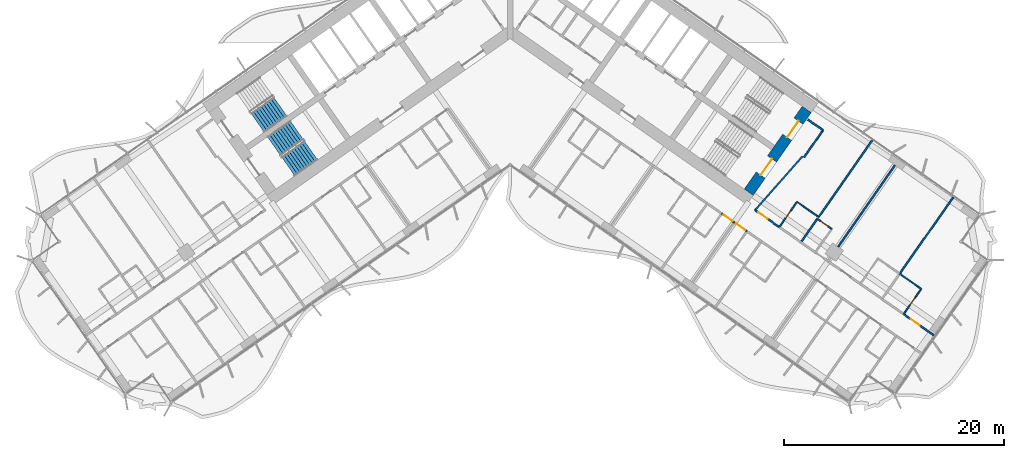
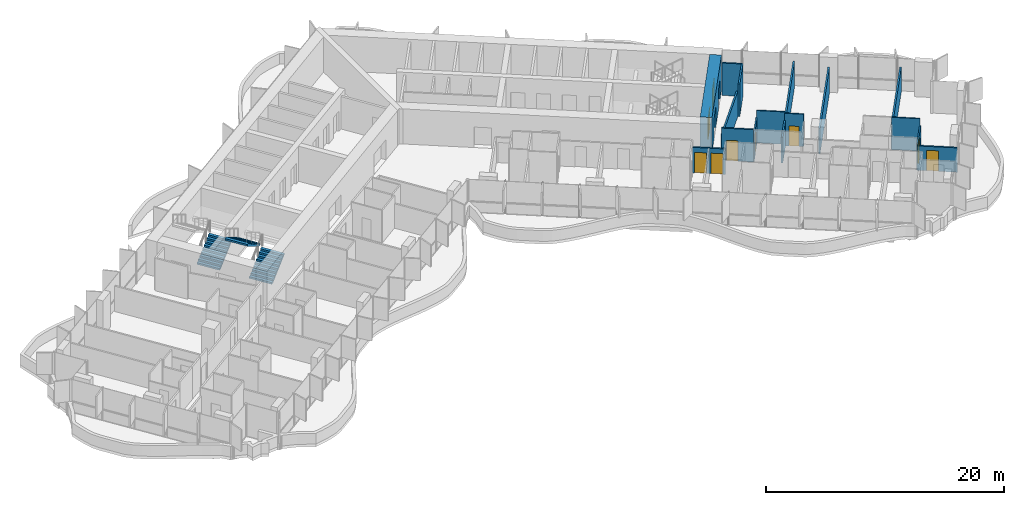
# One storey, part 18 of 25: 17 walls, 9 doors, 3 stair flights, 9 openings, 2 elements without a shape of their own.
"""IFC4 building model written with IfcOpenShell, lengths in metres."""

from ifc_helpers import new_model, si_unit, direction, frame, frame_2d, origin, place, context, subcontext, project, spatial, polyline, rectangle, outline, extrude, material, layer, layer_set, type_object, element, fill, aggregate, save


model = new_model("IFC4")

# Units and contexts
model_context = context("Model", 3, precision=1e-05, world=origin(), true_north=direction((0.0, 1.0)))
body_context = subcontext(model_context, "Body", "Model", "MODEL_VIEW")
ifc_project = project(units=[si_unit("LENGTHUNIT", "METRE"), si_unit("AREAUNIT", "SQUARE_METRE"), si_unit("VOLUMEUNIT", "CUBIC_METRE"), si_unit("PLANEANGLEUNIT", "RADIAN"), si_unit("MASSUNIT", "GRAM", prefix="KILO")], contexts=[model_context])

# Site, building, storey
site_placement = place(None, origin())
site = spatial("IfcSite", under=ifc_project, at=site_placement, CompositionType="ELEMENT")
building_placement = place(site_placement, origin())
building = spatial("IfcBuilding", under=site, at=building_placement, Name="Tel Ilan Convention Tower", CompositionType="ELEMENT")
storey_placement = place(building_placement, frame((0.0, 0.0, 58.10009765625)))
storey = spatial("IfcBuildingStorey", under=building, at=storey_placement, Name="L09", CompositionType="ELEMENT", Elevation=58.10009765625)

# Wall, openings, doors
ifc_material_1 = material(Name="Concrete C60/75", Category="concrete")
ifc_layer_1 = layer(ifc_material_1, 1.0)
ifc_layer_set_1 = layer_set([ifc_layer_1], Name="Core Shear Wall 1000 mm C60/75")
wall_type_1 = type_object("IfcWallType", Name="Core Shear Wall 1000 mm C60/75", PredefinedType="SHEAR", material=ifc_layer_set_1)
wall_1_placement = place(storey_placement, frame((21.70751953125, -15.19970703125, 0.0), z_axis=(0.0, 0.0, 1.0), x_axis=(0.573576324356, 0.819152122709, 0.0)))
wall_1 = element("IfcWall", 1, at=wall_1_placement, inside=storey, type_object=wall_type_1, Name="L09 core wall E-end", PredefinedType="SHEAR", context=body_context, shape_type="SweptSolid", body=[
    extrude(outline(polyline([(9.199951171875, 0.5), (0.0, 0.5), (0.0, -0.5), (9.199951171875, -0.5), (9.199951171875, 0.5)])), origin(), (0.0, 0.0, 1.0), 3.599853515625),
])
opening_1_placement = place(wall_1_placement, frame((6.10009765625, 0.0, 0.0)))
opening_1 = element("IfcOpeningElement", 2, at=opening_1_placement, cuts=wall_1, Name="Opening SD1103", PredefinedType="OPENING", context=body_context, shape_type="SweptSolid", body=[
    extrude(rectangle(XDim=1.800048828125, YDim=2.10009765625, at=frame_2d((0.89990234375, 1.050048828125))), frame((0.0, 0.510009765625, 0.0), z_axis=(0.0, -1.0, 0.0), x_axis=(1.0, 0.0, 0.0)), (0.0, 0.0, 1.0), 1.02001953125),
])
opening_2_placement = place(wall_1_placement, frame((1.89990234375, 0.0, 0.0)))
opening_2 = element("IfcOpeningElement", 3, at=opening_2_placement, cuts=wall_1, Name="Opening SD1104", PredefinedType="OPENING", context=body_context, shape_type="SweptSolid", body=[
    extrude(rectangle(XDim=1.800048828125, YDim=2.10009765625, at=frame_2d((0.89990234375, 1.050048828125))), frame((0.0, 0.510009765625, 0.0), z_axis=(0.0, -1.0, 0.0), x_axis=(1.0, 0.0, 0.0)), (0.0, 0.0, 1.0), 1.02001953125),
])
ifc_material_2 = material(Name="Galvanised Steel Door Leaf", Category="steel")
door_type_1 = type_object("IfcDoorType", Name="Stair Fire Door 1800 x 2100 FD60S", OperationType="NOTDEFINED", PredefinedType="DOOR", material=ifc_material_2)
door_1_placement = place(opening_1_placement, origin())
door_1 = element("IfcDoor", 4, at=door_1_placement, inside=storey, type_object=door_type_1, Name="Stair S3 door", OperationType="DOUBLE_DOOR_SINGLE_SWING", OverallHeight=2.10009765625, OverallWidth=1.800048828125, PredefinedType="DOOR", context=body_context, shape_type="SweptSolid", body=[
    extrude(rectangle(XDim=1.800048828125, YDim=2.10009765625, at=frame_2d((0.89990234375, 1.050048828125))), frame((0.0, 0.02490234375, 0.0), z_axis=(0.0, -1.0, 0.0), x_axis=(1.0, 0.0, 0.0)), (0.0, 0.0, 1.0), 0.050048828125),
])
fill(opening_1, door_1)
door_2_placement = place(opening_2_placement, origin())
door_2 = element("IfcDoor", 5, at=door_2_placement, inside=storey, type_object=door_type_1, Name="Stair S4 door", OperationType="DOUBLE_DOOR_SINGLE_SWING", OverallHeight=2.10009765625, OverallWidth=1.800048828125, PredefinedType="DOOR", context=body_context, shape_type="SweptSolid", body=[
    extrude(rectangle(XDim=1.800048828125, YDim=2.10009765625, at=frame_2d((0.89990234375, 1.050048828125))), frame((0.0, 0.02490234375, 0.0), z_axis=(0.0, -1.0, 0.0), x_axis=(1.0, 0.0, 0.0)), (0.0, 0.0, 1.0), 0.050048828125),
])
fill(opening_2, door_2)

# Wall, opening, door
ifc_material_3 = material(Name="Plasterboard on Steel Studs", Category="steel")
ifc_layer_2 = layer(ifc_material_3, 0.14990234375)
ifc_layer_set_2 = layer_set([ifc_layer_2], Name="Fire-rated Partition 150 EI 60")
wall_type_2 = type_object("IfcWallType", Name="Fire-rated Partition 150 EI 60", PredefinedType="PARTITIONING", material=ifc_layer_set_2)
wall_2_placement = place(storey_placement, frame((22.28369140625, -16.823974609375, 0.0), z_axis=(0.0, 0.0, 1.0), x_axis=(0.819176640776, -0.573541307325, 0.0)))
wall_2 = element("IfcWall", 6, at=wall_2_placement, inside=storey, type_object=wall_type_2, Name="Partition 001", PredefinedType="PARTITIONING", context=body_context, shape_type="SweptSolid", body=[
    extrude(rectangle(XDim=2.697509765625, YDim=0.14990234375, at=frame_2d((1.3486328125, 0.0))), origin(), (0.0, 0.0, 1.0), 3.31982421875),
])
opening_3_placement = place(wall_2_placement, frame((0.396240234375, 0.0, 0.0)))
opening_3 = element("IfcOpeningElement", 7, at=opening_3_placement, cuts=wall_2, Name="Opening L08-044", PredefinedType="OPENING", context=body_context, shape_type="SweptSolid", body=[
    extrude(rectangle(XDim=1.0, YDim=2.10009765625, at=frame_2d((0.5, 1.050048828125))), frame((0.0, 0.0849609375, 0.0), z_axis=(0.0, -1.0, 0.0), x_axis=(1.0, 0.0, 0.0)), (0.0, 0.0, 1.0), 0.169921875),
])
ifc_material_4 = material(Name="Timber Door Leaf in Steel Frame", Category="steel")
door_type_2 = type_object("IfcDoorType", Name="Hotel Room Entrance Fire Door 1000x2100", OperationType="NOTDEFINED", PredefinedType="DOOR", material=ifc_material_4)
door_3_placement = place(opening_3_placement, origin())
door_3 = element("IfcDoor", 8, at=door_3_placement, inside=storey, type_object=door_type_2, Name="Door L08-044", OperationType="SINGLE_SWING_RIGHT", OverallHeight=2.10009765625, OverallWidth=1.0, PredefinedType="DOOR", context=body_context, shape_type="SweptSolid", body=[
    extrude(rectangle(XDim=1.0, YDim=2.10009765625, at=frame_2d((0.5, 1.050048828125))), frame((0.0, 0.02490234375, 0.0), z_axis=(0.0, -1.0, 0.0), x_axis=(1.0, 0.0, 0.0)), (0.0, 0.0, 1.0), 0.050048828125),
])
fill(opening_3, door_3)

wall_3_placement = place(storey_placement, frame((35.7958984375, -26.285400390625, 0.0), z_axis=(0.0, 0.0, 1.0), x_axis=(0.819154345195, -0.573573150303, 0.0)))
wall_3 = element("IfcWall", 9, at=wall_3_placement, inside=storey, type_object=wall_type_2, Name="Partition 007", PredefinedType="PARTITIONING", context=body_context, shape_type="SweptSolid", body=[
    extrude(rectangle(XDim=3.40087890625, YDim=0.14990234375, at=frame_2d((1.700439453125, 0.0))), origin(), (0.0, 0.0, 1.0), 2.5),
])
opening_4_placement = place(wall_3_placement, frame((0.801025390625, 0.0, 0.0)))
opening_4 = element("IfcOpeningElement", 10, at=opening_4_placement, cuts=wall_3, Name="Opening L08-050", PredefinedType="OPENING", context=body_context, shape_type="SweptSolid", body=[
    extrude(rectangle(XDim=1.0, YDim=2.10009765625, at=frame_2d((0.5, 1.050048828125))), frame((0.0, 0.0849609375, 0.0), z_axis=(0.0, -1.0, 0.0), x_axis=(1.0, 0.0, 0.0)), (0.0, 0.0, 1.0), 0.169921875),
])
door_4_placement = place(opening_4_placement, origin())
door_4 = element("IfcDoor", 11, at=door_4_placement, inside=storey, type_object=door_type_2, Name="Door L08-050", OperationType="SINGLE_SWING_LEFT", OverallHeight=2.10009765625, OverallWidth=1.0, PredefinedType="DOOR", context=body_context, shape_type="SweptSolid", body=[
    extrude(rectangle(XDim=1.0, YDim=2.10009765625, at=frame_2d((0.5, 1.050048828125))), frame((0.0, 0.02490234375, 0.0), z_axis=(0.0, -1.0, 0.0), x_axis=(1.0, 0.0, 0.0)), (0.0, 0.0, 1.0), 0.050048828125),
])
fill(opening_4, door_4)

wall_4_placement = place(storey_placement, frame((20.39794921875, -17.9453125, 0.0), z_axis=(0.0, 0.0, 1.0), x_axis=(-0.819060210533, 0.573707566205, 0.0)))
wall_4 = element("IfcWall", 12, at=wall_4_placement, inside=storey, type_object=wall_type_2, Name="Partition 016", PredefinedType="PARTITIONING", context=body_context, shape_type="SweptSolid", body=[
    extrude(rectangle(XDim=1.403076171875, YDim=0.14990234375, at=frame_2d((0.70166015625, 0.0))), origin(), (0.0, 0.0, 1.0), 2.599853515625),
])
opening_5_placement = place(wall_4_placement, frame((0.201904296875, 0.0, 0.0)))
opening_5 = element("IfcOpeningElement", 13, at=opening_5_placement, cuts=wall_4, Name="Opening L08-031", PredefinedType="OPENING", context=body_context, shape_type="SweptSolid", body=[
    extrude(rectangle(XDim=1.0, YDim=2.10009765625, at=frame_2d((0.5, 1.050048828125))), frame((0.0, 0.0849609375, 0.0), z_axis=(0.0, -1.0, 0.0), x_axis=(1.0, 0.0, 0.0)), (0.0, 0.0, 1.0), 0.169921875),
])
door_5_placement = place(opening_5_placement, origin())
door_5 = element("IfcDoor", 14, at=door_5_placement, inside=storey, type_object=door_type_2, Name="Door L08-031", OperationType="SINGLE_SWING_RIGHT", OverallHeight=2.10009765625, OverallWidth=1.0, PredefinedType="DOOR", context=body_context, shape_type="SweptSolid", body=[
    extrude(rectangle(XDim=1.0, YDim=2.10009765625, at=frame_2d((0.5, 1.050048828125))), frame((0.0, 0.02490234375, 0.0), z_axis=(0.0, -1.0, 0.0), x_axis=(1.0, 0.0, 0.0)), (0.0, 0.0, 1.0), 0.050048828125),
])
fill(opening_5, door_5)

wall_5_placement = place(storey_placement, frame((21.5439453125, -18.74755859375, 0.0), z_axis=(0.0, 0.0, 1.0), x_axis=(-0.81914197737, 0.573590813132, 0.0)))
wall_5 = element("IfcWall", 15, at=wall_5_placement, inside=storey, type_object=wall_type_2, Name="Partition 018", PredefinedType="PARTITIONING", context=body_context, shape_type="SweptSolid", body=[
    extrude(rectangle(XDim=1.40283203125, YDim=0.14990234375, at=frame_2d((0.701416015625, 0.0))), origin(), (0.0, 0.0, 1.0), 2.599853515625),
])
opening_6_placement = place(wall_5_placement, frame((0.200927734375, 0.0, 0.0)))
opening_6 = element("IfcOpeningElement", 16, at=opening_6_placement, cuts=wall_5, Name="Opening L08-033", PredefinedType="OPENING", context=body_context, shape_type="SweptSolid", body=[
    extrude(rectangle(XDim=1.0, YDim=2.10009765625, at=frame_2d((0.5, 1.050048828125))), frame((0.0, 0.0849609375, 0.0), z_axis=(0.0, -1.0, 0.0), x_axis=(1.0, 0.0, 0.0)), (0.0, 0.0, 1.0), 0.169921875),
])
door_6_placement = place(opening_6_placement, origin())
door_6 = element("IfcDoor", 17, at=door_6_placement, inside=storey, type_object=door_type_2, Name="Door L08-033", OperationType="SINGLE_SWING_RIGHT", OverallHeight=2.10009765625, OverallWidth=1.0, PredefinedType="DOOR", context=body_context, shape_type="SweptSolid", body=[
    extrude(rectangle(XDim=1.0, YDim=2.10009765625, at=frame_2d((0.5, 1.050048828125))), frame((0.0, 0.02490234375, 0.0), z_axis=(0.0, -1.0, 0.0), x_axis=(1.0, 0.0, 0.0)), (0.0, 0.0, 1.0), 0.050048828125),
])
fill(opening_6, door_6)

# Walls
wall_6_placement = place(storey_placement, frame((32.93994140625, -10.49072265625, 0.0), z_axis=(0.0, 0.0, 1.0), x_axis=(-0.573593433868, -0.819140142237, 0.0)))
element("IfcWall", 18, at=wall_6_placement, inside=storey, type_object=wall_type_2, Name="Partition 053", PredefinedType="PARTITIONING", context=body_context, shape_type="SweptSolid", body=[
    extrude(rectangle(XDim=8.4990234375, YDim=0.14990234375, at=frame_2d((4.24951171875, 0.0))), origin(), (0.0, 0.0, 1.0), 2.599853515625),
])
wall_7_placement = place(storey_placement, frame((22.285400390625, -16.8251953125, 0.0), z_axis=(0.0, 0.0, 1.0), x_axis=(0.661551268245, 0.749899939647, 0.0)))
element("IfcWall", 19, at=wall_7_placement, inside=storey, type_object=wall_type_2, Name="Partition 054", PredefinedType="PARTITIONING", context=body_context, shape_type="SweptSolid", body=[
    extrude(rectangle(XDim=6.541015625, YDim=0.14990234375, at=frame_2d((3.2705078125, 0.0))), origin(), (0.0, 0.0, 1.0), 2.599853515625),
])
wall_8_placement = place(storey_placement, frame((26.74609375, -12.013671875, 0.0), z_axis=(0.0, 0.0, 1.0), x_axis=(0.573560650686, 0.819163097304, 0.0)))
element("IfcWall", 20, at=wall_8_placement, inside=storey, type_object=wall_type_2, Name="Partition 055", PredefinedType="PARTITIONING", context=body_context, shape_type="SweptSolid", body=[
    extrude(rectangle(XDim=3.0, YDim=0.14990234375, at=frame_2d((1.5, 0.0))), origin(), (0.0, 0.0, 1.0), 3.31982421875),
])
wall_9_placement = place(storey_placement, frame((28.466796875, -9.55615234375, 0.0), z_axis=(0.0, 0.0, 1.0), x_axis=(-0.819109000826, 0.573637903879, 0.0)))
element("IfcWall", 21, at=wall_9_placement, inside=storey, type_object=wall_type_2, Name="Partition 056", PredefinedType="PARTITIONING", context=body_context, shape_type="SweptSolid", body=[
    extrude(rectangle(XDim=1.679931640625, YDim=0.14990234375, at=frame_2d((0.83984375, 0.0))), origin(), (0.0, 0.0, 1.0), 3.31982421875),
])
wall_10_placement = place(storey_placement, frame((27.950927734375, -17.61572265625, 0.0), z_axis=(0.0, 0.0, 1.0), x_axis=(-0.573544201094, -0.819174614714, 0.0)))
element("IfcWall", 22, at=wall_10_placement, inside=storey, type_object=wall_type_2, Name="Partition 057", PredefinedType="PARTITIONING", context=body_context, shape_type="SweptSolid", body=[
    extrude(rectangle(XDim=2.60205078125, YDim=0.14990234375, at=frame_2d((1.301025390625, 0.0))), origin(), (0.0, 0.0, 1.0), 2.599853515625),
])
wall_11_placement = place(storey_placement, frame((35.012939453125, -12.76025390625, 0.0), z_axis=(0.0, 0.0, 1.0), x_axis=(-0.573558725113, -0.819164445546, 0.0)))
element("IfcWall", 23, at=wall_11_placement, inside=storey, type_object=wall_type_2, Name="Partition 060", PredefinedType="PARTITIONING", context=body_context, shape_type="SweptSolid", body=[
    extrude(rectangle(XDim=9.010009765625, YDim=0.14990234375, at=frame_2d((4.5048828125, 0.0))), origin(), (0.0, 0.0, 1.0), 2.599853515625),
])
wall_12_placement = place(storey_placement, frame((40.312255859375, -15.65283203125, 0.0), z_axis=(0.0, 0.0, 1.0), x_axis=(-0.573560662175, -0.81916308926, 0.0)))
element("IfcWall", 24, at=wall_12_placement, inside=storey, type_object=wall_type_2, Name="Partition 064", PredefinedType="PARTITIONING", context=body_context, shape_type="SweptSolid", body=[
    extrude(rectangle(XDim=8.4990234375, YDim=0.14990234375, at=frame_2d((4.24951171875, 0.0))), origin(), (0.0, 0.0, 1.0), 2.5),
])

# Wall, opening, door
ifc_material_5 = material(Name="Plasterboard on Steel Studs", Category="steel")
ifc_layer_3 = layer(ifc_material_5, 0.1201171875)
ifc_layer_set_3 = layer_set([ifc_layer_3], Name="Moisture-resistant Partition 120")
wall_type_3 = type_object("IfcWallType", Name="Moisture-resistant Partition 120", PredefinedType="PARTITIONING", material=ifc_layer_set_3)
wall_13_placement = place(storey_placement, frame((26.09765625, -16.076416015625, 0.0), z_axis=(0.0, 0.0, 1.0), x_axis=(-0.573550118428, -0.819170471667, 0.0)))
wall_13 = element("IfcWall", 25, at=wall_13_placement, inside=storey, type_object=wall_type_3, Name="Partition 051", PredefinedType="PARTITIONING", context=body_context, shape_type="SweptSolid", body=[
    extrude(rectangle(XDim=2.800048828125, YDim=0.1201171875, at=frame_2d((1.39990234375, 0.0))), origin(), (0.0, 0.0, 1.0), 2.599853515625),
])
opening_7_placement = place(wall_13_placement, frame((0.97509765625, 0.0, 0.0)))
opening_7 = element("IfcOpeningElement", 26, at=opening_7_placement, cuts=wall_13, Name="Opening L08-043", PredefinedType="OPENING", context=body_context, shape_type="SweptSolid", body=[
    extrude(rectangle(XDim=0.85009765625, YDim=2.050048828125, at=frame_2d((0.425048828125, 1.02490234375))), frame((0.0, 0.070068359375, 0.0), z_axis=(0.0, -1.0, 0.0), x_axis=(1.0, 0.0, 0.0)), (0.0, 0.0, 1.0), 0.14013671875),
])
ifc_material_6 = material(Name="Timber Door Leaf in Steel Frame", Category="steel")
door_type_3 = type_object("IfcDoorType", Name="Bathroom Timber Door 850x2050", OperationType="NOTDEFINED", PredefinedType="DOOR", material=ifc_material_6)
door_7_placement = place(opening_7_placement, origin())
door_7 = element("IfcDoor", 27, at=door_7_placement, inside=storey, type_object=door_type_3, Name="Door L08-043", OperationType="SINGLE_SWING_LEFT", OverallHeight=2.050048828125, OverallWidth=0.85009765625, PredefinedType="DOOR", context=body_context, shape_type="SweptSolid", body=[
    extrude(rectangle(XDim=0.85009765625, YDim=2.050048828125, at=frame_2d((0.425048828125, 1.02490234375))), frame((0.0, 0.02490234375, 0.0), z_axis=(0.0, -1.0, 0.0), x_axis=(1.0, 0.0, 0.0)), (0.0, 0.0, 1.0), 0.050048828125),
])
fill(opening_7, door_7)

# Wall
wall_14_placement = place(storey_placement, frame((28.06494140625, -17.45263671875, 0.0), z_axis=(0.0, 0.0, 1.0), x_axis=(-0.819155442668, 0.573571582932, 0.0)))
element("IfcWall", 28, at=wall_14_placement, inside=storey, type_object=wall_type_3, Name="Partition 052", PredefinedType="PARTITIONING", context=body_context, shape_type="SweptSolid", body=[
    extrude(rectangle(XDim=2.39990234375, YDim=0.1201171875, at=frame_2d((1.199951171875, 0.0))), origin(), (0.0, 0.0, 1.0), 3.31982421875),
])

# Wall, opening, door
wall_15_placement = place(storey_placement, frame((29.260986328125, -18.5341796875, 0.0), z_axis=(0.0, 0.0, 1.0), x_axis=(-0.819253425856, 0.573431621227, 0.0)))
wall_15 = element("IfcWall", 29, at=wall_15_placement, inside=storey, type_object=wall_type_3, Name="Partition 059", PredefinedType="PARTITIONING", context=body_context, shape_type="SweptSolid", body=[
    extrude(rectangle(XDim=1.60009765625, YDim=0.1201171875, at=frame_2d((0.800048828125, 0.0))), origin(), (0.0, 0.0, 1.0), 3.31982421875),
])
opening_8_placement = place(wall_15_placement, frame((0.375, 0.0, 0.0)))
opening_8 = element("IfcOpeningElement", 30, at=opening_8_placement, cuts=wall_15, Name="Opening L08-045", PredefinedType="OPENING", context=body_context, shape_type="SweptSolid", body=[
    extrude(rectangle(XDim=0.85009765625, YDim=2.050048828125, at=frame_2d((0.425048828125, 1.02490234375))), frame((0.0, 0.070068359375, 0.0), z_axis=(0.0, -1.0, 0.0), x_axis=(1.0, 0.0, 0.0)), (0.0, 0.0, 1.0), 0.14013671875),
])
door_8_placement = place(opening_8_placement, origin())
door_8 = element("IfcDoor", 31, at=door_8_placement, inside=storey, type_object=door_type_3, Name="Door L08-045", OperationType="SINGLE_SWING_LEFT", OverallHeight=2.050048828125, OverallWidth=0.85009765625, PredefinedType="DOOR", context=body_context, shape_type="SweptSolid", body=[
    extrude(rectangle(XDim=0.85009765625, YDim=2.050048828125, at=frame_2d((0.425048828125, 1.02490234375))), frame((0.0, 0.02490234375, 0.0), z_axis=(0.0, -1.0, 0.0), x_axis=(1.0, 0.0, 0.0)), (0.0, 0.0, 1.0), 0.050048828125),
])
fill(opening_8, door_8)

wall_16_placement = place(storey_placement, frame((35.797607421875, -26.28662109375, 0.0), z_axis=(0.0, 0.0, 1.0), x_axis=(0.573550118428, 0.819170471667, 0.0)))
wall_16 = element("IfcWall", 32, at=wall_16_placement, inside=storey, type_object=wall_type_3, Name="Partition 066", PredefinedType="PARTITIONING", context=body_context, shape_type="SweptSolid", body=[
    extrude(rectangle(XDim=2.800048828125, YDim=0.1201171875, at=frame_2d((1.39990234375, 0.0))), origin(), (0.0, 0.0, 1.0), 2.599853515625),
])
opening_9_placement = place(wall_16_placement, frame((0.97509765625, 0.0, 0.0)))
opening_9 = element("IfcOpeningElement", 33, at=opening_9_placement, cuts=wall_16, Name="Opening L08-049", PredefinedType="OPENING", context=body_context, shape_type="SweptSolid", body=[
    extrude(rectangle(XDim=0.85009765625, YDim=2.050048828125, at=frame_2d((0.425048828125, 1.02490234375))), frame((0.0, 0.070068359375, 0.0), z_axis=(0.0, -1.0, 0.0), x_axis=(1.0, 0.0, 0.0)), (0.0, 0.0, 1.0), 0.14013671875),
])
door_9_placement = place(opening_9_placement, origin())
door_9 = element("IfcDoor", 34, at=door_9_placement, inside=storey, type_object=door_type_3, Name="Door L08-049", OperationType="SINGLE_SWING_LEFT", OverallHeight=2.050048828125, OverallWidth=0.85009765625, PredefinedType="DOOR", context=body_context, shape_type="SweptSolid", body=[
    extrude(rectangle(XDim=0.85009765625, YDim=2.050048828125, at=frame_2d((0.425048828125, 1.02490234375))), frame((0.0, 0.02490234375, 0.0), z_axis=(0.0, -1.0, 0.0), x_axis=(1.0, 0.0, 0.0)), (0.0, 0.0, 1.0), 0.050048828125),
])
fill(opening_9, door_9)

# Wall
wall_17_placement = place(storey_placement, frame((37.4033203125, -23.991455078125, 0.0), z_axis=(0.0, 0.0, 1.0), x_axis=(-0.819155442668, 0.573571582932, 0.0)))
element("IfcWall", 35, at=wall_17_placement, inside=storey, type_object=wall_type_3, Name="Partition 067", PredefinedType="PARTITIONING", context=body_context, shape_type="SweptSolid", body=[
    extrude(rectangle(XDim=2.39990234375, YDim=0.1201171875, at=frame_2d((1.199951171875, 0.0))), origin(), (0.0, 0.0, 1.0), 3.31982421875),
])

# Stair, stair flight
ifc_material_7 = material(Name="Concrete C40/50", Category="concrete")
stair_type = type_object("IfcStairType", Name="Pressurised Exit Stair 20 risers 180 mm", PredefinedType="HALF_TURN_STAIR", material=ifc_material_7)
stair_1_placement = place(storey_placement, origin())
stair_1 = element("IfcStair", 36, at=stair_1_placement, inside=storey, type_object=stair_type, Name="L09 Pressurised Stair S1", PredefinedType="HALF_TURN_STAIR")
ifc_material_8 = material(Name="Precast Concrete C40/50", Category="concrete")
stair_flight_type = type_object("IfcStairFlightType", Name="Concrete Stair Flight 2100 mm 20 risers 180 mm", PredefinedType="STRAIGHT", material=ifc_material_8)
stair_flight_1_placement = place(storey_placement, frame((-22.9619140625, -8.87548828125, 0.0), z_axis=(0.0, 0.0, 1.0), x_axis=(0.819152044289, 0.573576436351, 0.0)))
stair_flight_1 = element("IfcStairFlight", 37, at=stair_flight_1_placement, type_object=stair_flight_type, Name="S1 flight 1", NumberOfRisers=10, NumberOfTreads=9, PredefinedType="STRAIGHT", RiserHeight=0.18, TreadLength=0.28, context=body_context, shape_type="SweptSolid", body=[
    extrude(outline(polyline([(0.0, 0.0), (0.0, 0.179931640625), (0.280029296875, 0.179931640625), (0.280029296875, 0.360107421875), (0.56005859375, 0.360107421875), (0.56005859375, 0.5400390625), (0.840087890625, 0.5400390625), (0.840087890625, 0.719970703125), (1.1201171875, 0.719970703125), (1.1201171875, 0.89990234375), (1.39990234375, 0.89990234375), (1.39990234375, 1.080078125), (1.679931640625, 1.080078125), (1.679931640625, 1.260009765625), (1.9599609375, 1.260009765625), (1.9599609375, 1.43994140625), (2.239990234375, 1.43994140625), (2.239990234375, 1.6201171875), (2.52001953125, 1.6201171875), (2.52001953125, 1.800048828125), (2.52001953125, 1.44189453125), (0.277099609375, 0.0), (0.0, 0.0)])), frame((0.0, -0.100341796875, 0.0), z_axis=(0.0, -1.0, 0.0), x_axis=(1.0, 0.0, 0.0)), (0.0, 0.0, 1.0), 0.94970703125),
    extrude(outline(polyline([(0.0, 0.0), (0.0, 0.179931640625), (0.280029296875, 0.179931640625), (0.280029296875, 0.360107421875), (0.56005859375, 0.360107421875), (0.56005859375, 0.5400390625), (0.840087890625, 0.5400390625), (0.840087890625, 0.719970703125), (1.1201171875, 0.719970703125), (1.1201171875, 0.89990234375), (1.39990234375, 0.89990234375), (1.39990234375, 1.080078125), (1.679931640625, 1.080078125), (1.679931640625, 1.260009765625), (1.9599609375, 1.260009765625), (1.9599609375, 1.43994140625), (2.239990234375, 1.43994140625), (2.239990234375, 1.6201171875), (2.52001953125, 1.6201171875), (2.52001953125, 1.800048828125), (2.52001953125, 1.44189453125), (0.277099609375, 0.0), (0.0, 0.0)])), frame((0.0, -0.000244140625, 0.0), z_axis=(0.0, -1.0, 0.0), x_axis=(1.0, 0.0, 0.0)), (0.0, 0.0, 1.0), 0.099609375),
    extrude(outline(polyline([(0.0, 0.0), (0.0, 0.179931640625), (0.280029296875, 0.179931640625), (0.280029296875, 0.360107421875), (0.56005859375, 0.360107421875), (0.56005859375, 0.5400390625), (0.840087890625, 0.5400390625), (0.840087890625, 0.719970703125), (1.1201171875, 0.719970703125), (1.1201171875, 0.89990234375), (1.39990234375, 0.89990234375), (1.39990234375, 1.080078125), (1.679931640625, 1.080078125), (1.679931640625, 1.260009765625), (1.9599609375, 1.260009765625), (1.9599609375, 1.43994140625), (2.239990234375, 1.43994140625), (2.239990234375, 1.6201171875), (2.52001953125, 1.6201171875), (2.52001953125, 1.800048828125), (2.52001953125, 1.44189453125), (0.277099609375, 0.0), (0.0, 0.0)])), frame((0.0, 0.099853515625, 0.0), z_axis=(0.0, -1.0, 0.0), x_axis=(1.0, 0.0, 0.0)), (0.0, 0.0, 1.0), 0.099609375),
    extrude(outline(polyline([(0.0, 0.0), (0.0, 0.179931640625), (0.280029296875, 0.179931640625), (0.280029296875, 0.360107421875), (0.56005859375, 0.360107421875), (0.56005859375, 0.5400390625), (0.840087890625, 0.5400390625), (0.840087890625, 0.719970703125), (1.1201171875, 0.719970703125), (1.1201171875, 0.89990234375), (1.39990234375, 0.89990234375), (1.39990234375, 1.080078125), (1.679931640625, 1.080078125), (1.679931640625, 1.260009765625), (1.9599609375, 1.260009765625), (1.9599609375, 1.43994140625), (2.239990234375, 1.43994140625), (2.239990234375, 1.6201171875), (2.52001953125, 1.6201171875), (2.52001953125, 1.800048828125), (2.52001953125, 1.44189453125), (0.277099609375, 0.0), (0.0, 0.0)])), frame((0.0, 1.050048828125, 0.0), z_axis=(0.0, -1.0, 0.0), x_axis=(1.0, 0.0, 0.0)), (0.0, 0.0, 1.0), 0.94970703125),
])
aggregate(stair_1, [stair_flight_1])

# Stair, stair flights
stair_2_placement = place(storey_placement, origin())
stair_2 = element("IfcStair", 38, at=stair_2_placement, inside=storey, type_object=stair_type, Name="L09 Pressurised Stair S2", PredefinedType="HALF_TURN_STAIR")
stair_flight_2_placement = place(storey_placement, frame((-20.179931640625, -12.848388671875, 0.0), z_axis=(0.0, 0.0, 1.0), x_axis=(0.819152044289, 0.573576436351, 0.0)))
stair_flight_2 = element("IfcStairFlight", 39, at=stair_flight_2_placement, type_object=stair_flight_type, Name="S2 flight 1", NumberOfRisers=10, NumberOfTreads=9, PredefinedType="STRAIGHT", RiserHeight=0.18, TreadLength=0.28, context=body_context, shape_type="SweptSolid", body=[
    extrude(outline(polyline([(0.0, 0.0), (0.0, 0.179931640625), (0.280029296875, 0.179931640625), (0.280029296875, 0.360107421875), (0.56005859375, 0.360107421875), (0.56005859375, 0.5400390625), (0.840087890625, 0.5400390625), (0.840087890625, 0.719970703125), (1.1201171875, 0.719970703125), (1.1201171875, 0.89990234375), (1.39990234375, 0.89990234375), (1.39990234375, 1.080078125), (1.679931640625, 1.080078125), (1.679931640625, 1.260009765625), (1.9599609375, 1.260009765625), (1.9599609375, 1.43994140625), (2.239990234375, 1.43994140625), (2.239990234375, 1.6201171875), (2.52001953125, 1.6201171875), (2.52001953125, 1.800048828125), (2.52001953125, 1.44189453125), (0.277099609375, 0.0), (0.0, 0.0)])), frame((0.0, -0.100341796875, 0.0), z_axis=(0.0, -1.0, 0.0), x_axis=(1.0, 0.0, 0.0)), (0.0, 0.0, 1.0), 0.94970703125),
    extrude(outline(polyline([(0.0, 0.0), (0.0, 0.179931640625), (0.280029296875, 0.179931640625), (0.280029296875, 0.360107421875), (0.56005859375, 0.360107421875), (0.56005859375, 0.5400390625), (0.840087890625, 0.5400390625), (0.840087890625, 0.719970703125), (1.1201171875, 0.719970703125), (1.1201171875, 0.89990234375), (1.39990234375, 0.89990234375), (1.39990234375, 1.080078125), (1.679931640625, 1.080078125), (1.679931640625, 1.260009765625), (1.9599609375, 1.260009765625), (1.9599609375, 1.43994140625), (2.239990234375, 1.43994140625), (2.239990234375, 1.6201171875), (2.52001953125, 1.6201171875), (2.52001953125, 1.800048828125), (2.52001953125, 1.44189453125), (0.277099609375, 0.0), (0.0, 0.0)])), frame((0.0, -0.000244140625, 0.0), z_axis=(0.0, -1.0, 0.0), x_axis=(1.0, 0.0, 0.0)), (0.0, 0.0, 1.0), 0.099609375),
    extrude(outline(polyline([(0.0, 0.0), (0.0, 0.179931640625), (0.280029296875, 0.179931640625), (0.280029296875, 0.360107421875), (0.56005859375, 0.360107421875), (0.56005859375, 0.5400390625), (0.840087890625, 0.5400390625), (0.840087890625, 0.719970703125), (1.1201171875, 0.719970703125), (1.1201171875, 0.89990234375), (1.39990234375, 0.89990234375), (1.39990234375, 1.080078125), (1.679931640625, 1.080078125), (1.679931640625, 1.260009765625), (1.9599609375, 1.260009765625), (1.9599609375, 1.43994140625), (2.239990234375, 1.43994140625), (2.239990234375, 1.6201171875), (2.52001953125, 1.6201171875), (2.52001953125, 1.800048828125), (2.52001953125, 1.44189453125), (0.277099609375, 0.0), (0.0, 0.0)])), frame((0.0, 0.099853515625, 0.0), z_axis=(0.0, -1.0, 0.0), x_axis=(1.0, 0.0, 0.0)), (0.0, 0.0, 1.0), 0.099609375),
    extrude(outline(polyline([(0.0, 0.0), (0.0, 0.179931640625), (0.280029296875, 0.179931640625), (0.280029296875, 0.360107421875), (0.56005859375, 0.360107421875), (0.56005859375, 0.5400390625), (0.840087890625, 0.5400390625), (0.840087890625, 0.719970703125), (1.1201171875, 0.719970703125), (1.1201171875, 0.89990234375), (1.39990234375, 0.89990234375), (1.39990234375, 1.080078125), (1.679931640625, 1.080078125), (1.679931640625, 1.260009765625), (1.9599609375, 1.260009765625), (1.9599609375, 1.43994140625), (2.239990234375, 1.43994140625), (2.239990234375, 1.6201171875), (2.52001953125, 1.6201171875), (2.52001953125, 1.800048828125), (2.52001953125, 1.44189453125), (0.277099609375, 0.0), (0.0, 0.0)])), frame((0.0, 1.050048828125, 0.0), z_axis=(0.0, -1.0, 0.0), x_axis=(1.0, 0.0, 0.0)), (0.0, 0.0, 1.0), 0.94970703125),
])
stair_flight_3_placement = place(storey_placement, frame((-19.40625, -9.559814453125, 1.7998046875), z_axis=(0.0, 0.0, 1.0), x_axis=(-0.819152044289, -0.573576436351, 0.0)))
stair_flight_3 = element("IfcStairFlight", 40, at=stair_flight_3_placement, type_object=stair_flight_type, Name="S2 flight 2", NumberOfRisers=10, NumberOfTreads=9, PredefinedType="STRAIGHT", RiserHeight=0.18, TreadLength=0.28, context=body_context, shape_type="SweptSolid", body=[
    extrude(outline(polyline([(0.0, 0.0), (0.0, 0.179931640625), (0.280029296875, 0.179931640625), (0.280029296875, 0.360107421875), (0.56005859375, 0.360107421875), (0.56005859375, 0.5400390625), (0.840087890625, 0.5400390625), (0.840087890625, 0.719970703125), (1.1201171875, 0.719970703125), (1.1201171875, 0.89990234375), (1.39990234375, 0.89990234375), (1.39990234375, 1.080078125), (1.679931640625, 1.080078125), (1.679931640625, 1.260009765625), (1.9599609375, 1.260009765625), (1.9599609375, 1.43994140625), (2.239990234375, 1.43994140625), (2.239990234375, 1.6201171875), (2.52001953125, 1.6201171875), (2.52001953125, 1.800048828125), (2.52001953125, 1.44189453125), (0.277099609375, 0.0), (0.0, 0.0)])), frame((0.0, -0.100341796875, 0.0), z_axis=(0.0, -1.0, 0.0), x_axis=(1.0, 0.0, 0.0)), (0.0, 0.0, 1.0), 0.94970703125),
    extrude(outline(polyline([(0.0, 0.0), (0.0, 0.179931640625), (0.280029296875, 0.179931640625), (0.280029296875, 0.360107421875), (0.56005859375, 0.360107421875), (0.56005859375, 0.5400390625), (0.840087890625, 0.5400390625), (0.840087890625, 0.719970703125), (1.1201171875, 0.719970703125), (1.1201171875, 0.89990234375), (1.39990234375, 0.89990234375), (1.39990234375, 1.080078125), (1.679931640625, 1.080078125), (1.679931640625, 1.260009765625), (1.9599609375, 1.260009765625), (1.9599609375, 1.43994140625), (2.239990234375, 1.43994140625), (2.239990234375, 1.6201171875), (2.52001953125, 1.6201171875), (2.52001953125, 1.800048828125), (2.52001953125, 1.44189453125), (0.277099609375, 0.0), (0.0, 0.0)])), frame((0.0, -0.000244140625, 0.0), z_axis=(0.0, -1.0, 0.0), x_axis=(1.0, 0.0, 0.0)), (0.0, 0.0, 1.0), 0.099609375),
    extrude(outline(polyline([(0.0, 0.0), (0.0, 0.179931640625), (0.280029296875, 0.179931640625), (0.280029296875, 0.360107421875), (0.56005859375, 0.360107421875), (0.56005859375, 0.5400390625), (0.840087890625, 0.5400390625), (0.840087890625, 0.719970703125), (1.1201171875, 0.719970703125), (1.1201171875, 0.89990234375), (1.39990234375, 0.89990234375), (1.39990234375, 1.080078125), (1.679931640625, 1.080078125), (1.679931640625, 1.260009765625), (1.9599609375, 1.260009765625), (1.9599609375, 1.43994140625), (2.239990234375, 1.43994140625), (2.239990234375, 1.6201171875), (2.52001953125, 1.6201171875), (2.52001953125, 1.800048828125), (2.52001953125, 1.44189453125), (0.277099609375, 0.0), (0.0, 0.0)])), frame((0.0, 0.099853515625, 0.0), z_axis=(0.0, -1.0, 0.0), x_axis=(1.0, 0.0, 0.0)), (0.0, 0.0, 1.0), 0.099609375),
    extrude(outline(polyline([(0.0, 0.0), (0.0, 0.179931640625), (0.280029296875, 0.179931640625), (0.280029296875, 0.360107421875), (0.56005859375, 0.360107421875), (0.56005859375, 0.5400390625), (0.840087890625, 0.5400390625), (0.840087890625, 0.719970703125), (1.1201171875, 0.719970703125), (1.1201171875, 0.89990234375), (1.39990234375, 0.89990234375), (1.39990234375, 1.080078125), (1.679931640625, 1.080078125), (1.679931640625, 1.260009765625), (1.9599609375, 1.260009765625), (1.9599609375, 1.43994140625), (2.239990234375, 1.43994140625), (2.239990234375, 1.6201171875), (2.52001953125, 1.6201171875), (2.52001953125, 1.800048828125), (2.52001953125, 1.44189453125), (0.277099609375, 0.0), (0.0, 0.0)])), frame((0.0, 1.050048828125, 0.0), z_axis=(0.0, -1.0, 0.0), x_axis=(1.0, 0.0, 0.0)), (0.0, 0.0, 1.0), 0.94970703125),
])
aggregate(stair_2, [stair_flight_2, stair_flight_3])

save(model, "model.ifc")
